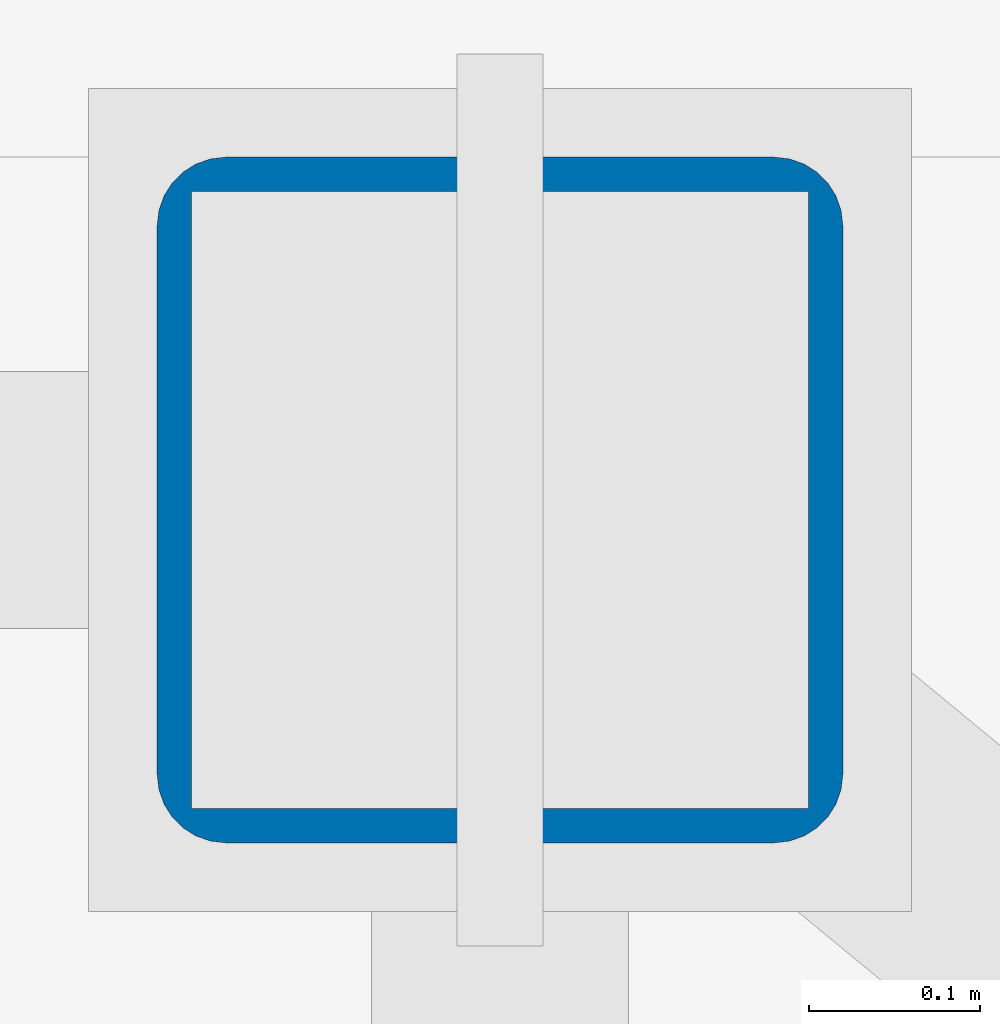
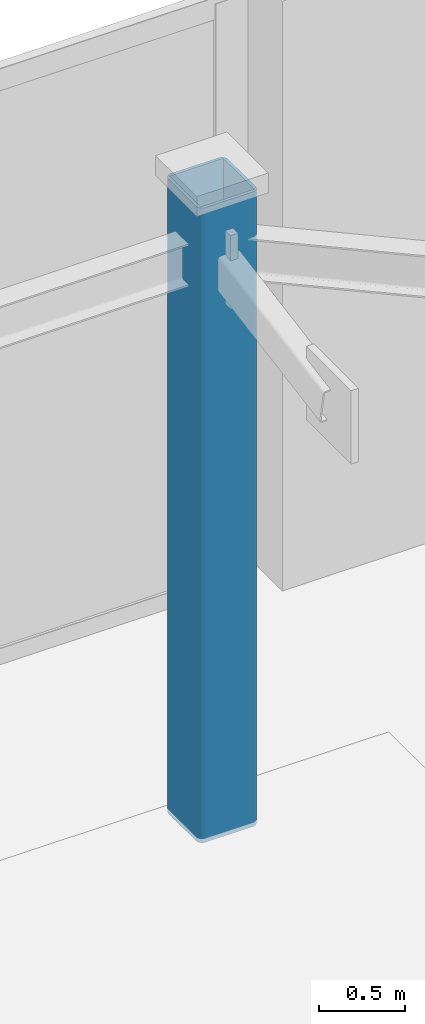
# One storey, part 10 of 42: 1 column.
"""IFC4 building model written with IfcOpenShell, lengths in metres."""

from ifc_helpers import new_model, si_unit, direction, frame, origin, origin_2d, place, context, subcontext, project, spatial, hollow_rectangle, extrude, material, material_profile, profile_set, type_object, element, save


model = new_model("IFC4")

# Units and contexts
model_context = context("Model", 3, precision=1e-05, world=origin(), true_north=direction((0.0, 1.0)))
body_context = subcontext(model_context, "Body", "Model", "MODEL_VIEW")
ifc_project = project(units=[si_unit("LENGTHUNIT", "METRE"), si_unit("AREAUNIT", "SQUARE_METRE"), si_unit("VOLUMEUNIT", "CUBIC_METRE"), si_unit("PLANEANGLEUNIT", "RADIAN"), si_unit("MASSUNIT", "GRAM", prefix="KILO")], contexts=[model_context])

# Site, building, storey
site_placement = place(None, origin())
site = spatial("IfcSite", under=ifc_project, at=site_placement, CompositionType="ELEMENT")
building_placement = place(site_placement, origin())
building = spatial("IfcBuilding", under=site, at=building_placement, Name="Narakoshi Arena Tower", CompositionType="ELEMENT")
storey_placement = place(building_placement, origin())
storey = spatial("IfcBuildingStorey", under=building, at=storey_placement, Name="L00", CompositionType="ELEMENT", Elevation=0.0)

# Column
ifc_material = material(Name="Structural steel S355J2", Category="steel")
ifc_material_profile = material_profile(ifc_material, hollow_rectangle(XDim=0.39990234375, YDim=0.39990234375, WallThickness=0.02001953125, OuterFilletRadius=0.0400390625, at=origin_2d()), Name="SHS400x400x20")
ifc_profile_set = profile_set([ifc_material_profile], Name="Structural steel S355J2")
column_type = type_object("IfcColumnType", Name="COL-SHS400", PredefinedType="COLUMN", material=ifc_profile_set)
column_placement = place(storey_placement, frame((68.5, 93.800048828125, 0.0), z_axis=(0.0, 0.0, 1.0), x_axis=(1.0, 0.0, 0.0)))
element("IfcColumn", 1, at=column_placement, inside=storey, type_object=column_type, Name="L00 Concourse Canopy Column CAN06", PredefinedType="COLUMN", context=body_context, shape_type="SweptSolid", body=[
    extrude(hollow_rectangle(XDim=0.39990234375, YDim=0.39990234375, WallThickness=0.02001953125, OuterFilletRadius=0.0400390625, at=origin_2d()), origin(), (0.0, 0.0, 1.0), 4.5),
])

save(model, "model.ifc")
